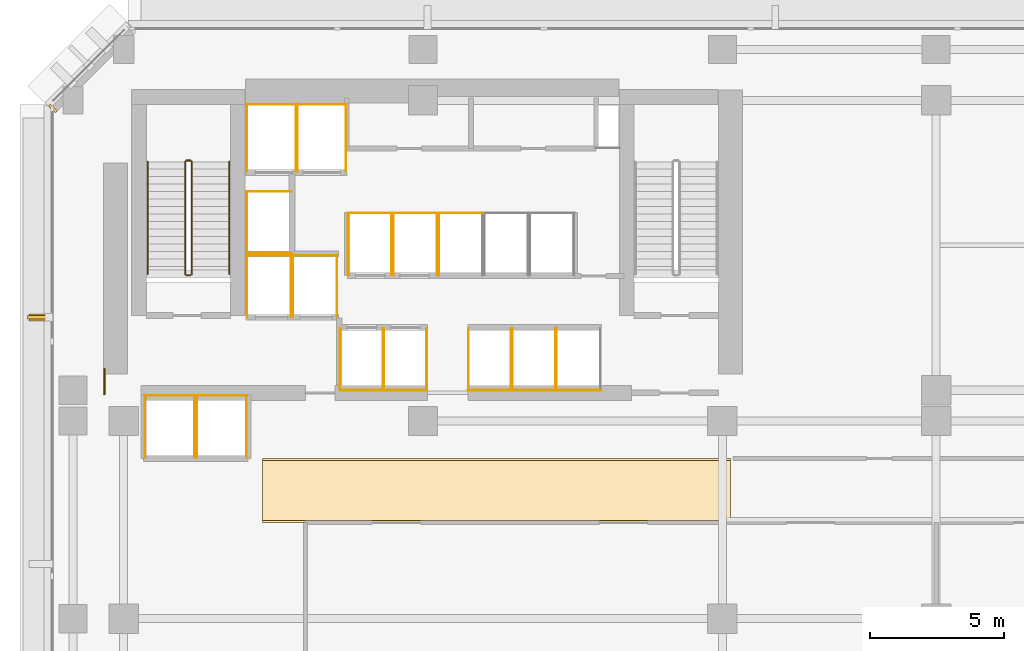
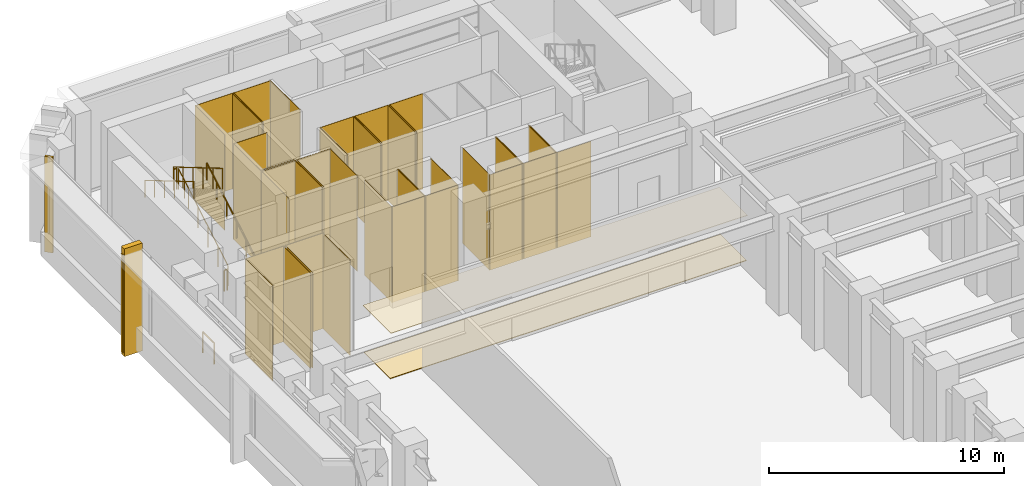
# One storey, part 13 of 16: 47 coverings, 7 railings, 1 shading device.
"""IFC4 building model written with IfcOpenShell, lengths in metres."""

from ifc_helpers import new_model, si_unit, direction, frame, origin, origin_2d, place, context, subcontext, project, spatial, polyline, rectangle, circle, outline, extrude, material, layer, layer_set, material_profile, profile_set, type_object, element, save


model = new_model("IFC4")

# Units and contexts
model_context = context("Model", 3, precision=1e-05, world=origin(), true_north=direction((0.0, 1.0)))
body_context = subcontext(model_context, "Body", "Model", "MODEL_VIEW")
ifc_project = project(units=[si_unit("LENGTHUNIT", "METRE"), si_unit("AREAUNIT", "SQUARE_METRE"), si_unit("VOLUMEUNIT", "CUBIC_METRE"), si_unit("PLANEANGLEUNIT", "RADIAN"), si_unit("MASSUNIT", "GRAM", prefix="KILO")], contexts=[model_context])

# Site, building, storey
site_placement = place(None, origin())
site = spatial("IfcSite", under=ifc_project, at=site_placement, CompositionType="ELEMENT")
building_placement = place(site_placement, origin())
building = spatial("IfcBuilding", under=site, at=building_placement, Name="Kefirva Bronze Tower", CompositionType="ELEMENT")
storey_placement = place(building_placement, frame((0.0, 0.0, 11.219970703125)))
storey = spatial("IfcBuildingStorey", under=building, at=storey_placement, Name="L02", CompositionType="ELEMENT", Elevation=11.219970703125)

# Coverings
ifc_material_1 = material(Name="Acoustic mineral tile")
ifc_layer_1 = layer(ifc_material_1, 0.02490234375, Name="Acoustic mineral tile")
ifc_layer_set_1 = layer_set([ifc_layer_1], Name="Acoustic mineral tile")
covering_type_1 = type_object("IfcCoveringType", Name="Acoustic Mineral Suspended Ceiling 25mm", PredefinedType="CEILING", material=ifc_layer_set_1)
covering_1_placement = place(storey_placement, frame((0.0, 0.0, 2.400146484375)))
element("IfcCovering", 1, at=covering_1_placement, inside=storey, type_object=covering_type_1, Name="L02 Corridor Acoustic Ceiling", PredefinedType="CEILING", context=body_context, shape_type="SweptSolid", body=[
    extrude(outline(polyline([(6.0, 29.39990234375), (23.5, 29.39990234375), (23.5, 31.800048828125), (6.0, 31.800048828125), (6.0, 29.39990234375)])), origin(), (0.0, 0.0, 1.0), 0.02490234375),
])
ifc_material_2 = material(Name="Bronze anodised aluminium", Category="aluminium")
ifc_layer_2 = layer(ifc_material_2, 0.02001953125, Name="Bronze anodised aluminium")
ifc_layer_set_2 = layer_set([ifc_layer_2], Name="Bronze anodised aluminium")
covering_type_2 = type_object("IfcCoveringType", Name="Anodised Bronze Spandrel Cladding 20mm", PredefinedType="CLADDING", material=ifc_layer_set_2)
covering_2_placement = place(storey_placement, frame((-1.847900390625, 44.8974609375, 0.0), z_axis=(0.0, 0.0, 1.0), x_axis=(-0.707106781187, -0.707106781187, 0.0)))
element("IfcCovering", 2, at=covering_2_placement, inside=storey, type_object=covering_type_2, Name="L02 Facade Joint Closure Panel 7E", PredefinedType="CLADDING", context=body_context, shape_type="SweptSolid", body=[
    extrude(rectangle(XDim=0.10009765625, YDim=0.360107421875, at=origin_2d()), origin(), (0.0, 0.0, 1.0), 4.9599609375),
])
covering_3_placement = place(storey_placement, origin())
element("IfcCovering", 3, at=covering_3_placement, inside=storey, type_object=covering_type_2, Name="L02 Lift FF1 Hoistway Liner N", PredefinedType="CLADDING", context=body_context, shape_type="SweptSolid", body=[
    extrude(outline(polyline([(5.39990234375, 39.389892578125), (7.080078125, 39.389892578125), (7.080078125, 39.409912109375), (5.39990234375, 39.409912109375), (5.39990234375, 39.389892578125)])), origin(), (0.0, 0.0, 1.0), 4.9599609375),
])
covering_4_placement = place(storey_placement, origin())
element("IfcCovering", 4, at=covering_4_placement, inside=storey, type_object=covering_type_2, Name="L02 Lift FF1 Hoistway Liner W", PredefinedType="CLADDING", context=body_context, shape_type="SweptSolid", body=[
    extrude(outline(polyline([(5.409912109375, 37.080078125), (5.429931640625, 37.080078125), (5.429931640625, 39.419921875), (5.409912109375, 39.419921875), (5.409912109375, 37.080078125)])), origin(), (0.0, 0.0, 1.0), 4.9599609375),
])
covering_5_placement = place(storey_placement, origin())
element("IfcCovering", 5, at=covering_5_placement, inside=storey, type_object=covering_type_2, Name="L02 Lift FF1 Hoistway Liner E", PredefinedType="CLADDING", context=body_context, shape_type="SweptSolid", body=[
    extrude(outline(polyline([(7.050048828125, 37.080078125), (7.070068359375, 37.080078125), (7.070068359375, 39.419921875), (7.050048828125, 39.419921875), (7.050048828125, 37.080078125)])), origin(), (0.0, 0.0, 1.0), 4.9599609375),
])
covering_6_placement = place(storey_placement, origin())
element("IfcCovering", 6, at=covering_6_placement, inside=storey, type_object=covering_type_2, Name="L02 Lift FF2 Hoistway Liner N", PredefinedType="CLADDING", context=body_context, shape_type="SweptSolid", body=[
    extrude(outline(polyline([(7.1201171875, 39.389892578125), (8.800048828125, 39.389892578125), (8.800048828125, 39.409912109375), (7.1201171875, 39.409912109375), (7.1201171875, 39.389892578125)])), origin(), (0.0, 0.0, 1.0), 4.9599609375),
])
covering_7_placement = place(storey_placement, origin())
element("IfcCovering", 7, at=covering_7_placement, inside=storey, type_object=covering_type_2, Name="L02 Lift FF2 Hoistway Liner W", PredefinedType="CLADDING", context=body_context, shape_type="SweptSolid", body=[
    extrude(outline(polyline([(7.1298828125, 37.080078125), (7.14990234375, 37.080078125), (7.14990234375, 39.419921875), (7.1298828125, 39.419921875), (7.1298828125, 37.080078125)])), origin(), (0.0, 0.0, 1.0), 4.9599609375),
])
covering_8_placement = place(storey_placement, origin())
element("IfcCovering", 8, at=covering_8_placement, inside=storey, type_object=covering_type_2, Name="L02 Lift FF2 Hoistway Liner E", PredefinedType="CLADDING", context=body_context, shape_type="SweptSolid", body=[
    extrude(outline(polyline([(8.77001953125, 37.080078125), (8.7900390625, 37.080078125), (8.7900390625, 39.419921875), (8.77001953125, 39.419921875), (8.77001953125, 37.080078125)])), origin(), (0.0, 0.0, 1.0), 4.9599609375),
])
covering_9_placement = place(storey_placement, origin())
element("IfcCovering", 9, at=covering_9_placement, inside=storey, type_object=covering_type_2, Name="L02 Lift SV1 Hoistway Liner N", PredefinedType="CLADDING", context=body_context, shape_type="SweptSolid", body=[
    extrude(outline(polyline([(5.39990234375, 45.0400390625), (7.260009765625, 45.0400390625), (7.260009765625, 45.06005859375), (5.39990234375, 45.06005859375), (5.39990234375, 45.0400390625)])), origin(), (0.0, 0.0, 1.0), 4.9599609375),
])
covering_10_placement = place(storey_placement, origin())
element("IfcCovering", 10, at=covering_10_placement, inside=storey, type_object=covering_type_2, Name="L02 Lift SV1 Hoistway Liner W", PredefinedType="CLADDING", context=body_context, shape_type="SweptSolid", body=[
    extrude(outline(polyline([(5.409912109375, 42.530029296875), (5.429931640625, 42.530029296875), (5.429931640625, 45.070068359375), (5.409912109375, 45.070068359375), (5.409912109375, 42.530029296875)])), origin(), (0.0, 0.0, 1.0), 4.9599609375),
])
covering_11_placement = place(storey_placement, origin())
element("IfcCovering", 11, at=covering_11_placement, inside=storey, type_object=covering_type_2, Name="L02 Lift SV1 Hoistway Liner E", PredefinedType="CLADDING", context=body_context, shape_type="SweptSolid", body=[
    extrude(outline(polyline([(7.22998046875, 42.530029296875), (7.25, 42.530029296875), (7.25, 45.070068359375), (7.22998046875, 45.070068359375), (7.22998046875, 42.530029296875)])), origin(), (0.0, 0.0, 1.0), 4.9599609375),
])
covering_12_placement = place(storey_placement, origin())
element("IfcCovering", 12, at=covering_12_placement, inside=storey, type_object=covering_type_2, Name="L02 Lift SV2 Hoistway Liner N", PredefinedType="CLADDING", context=body_context, shape_type="SweptSolid", body=[
    extrude(outline(polyline([(7.280029296875, 45.0400390625), (9.139892578125, 45.0400390625), (9.139892578125, 45.06005859375), (7.280029296875, 45.06005859375), (7.280029296875, 45.0400390625)])), origin(), (0.0, 0.0, 1.0), 4.9599609375),
])
covering_13_placement = place(storey_placement, origin())
element("IfcCovering", 13, at=covering_13_placement, inside=storey, type_object=covering_type_2, Name="L02 Lift SV2 Hoistway Liner W", PredefinedType="CLADDING", context=body_context, shape_type="SweptSolid", body=[
    extrude(outline(polyline([(7.2900390625, 42.530029296875), (7.31005859375, 42.530029296875), (7.31005859375, 45.070068359375), (7.2900390625, 45.070068359375), (7.2900390625, 42.530029296875)])), origin(), (0.0, 0.0, 1.0), 4.9599609375),
])
covering_14_placement = place(storey_placement, origin())
element("IfcCovering", 14, at=covering_14_placement, inside=storey, type_object=covering_type_2, Name="L02 Lift SV2 Hoistway Liner E", PredefinedType="CLADDING", context=body_context, shape_type="SweptSolid", body=[
    extrude(outline(polyline([(9.110107421875, 42.530029296875), (9.1298828125, 42.530029296875), (9.1298828125, 45.070068359375), (9.110107421875, 45.070068359375), (9.110107421875, 42.530029296875)])), origin(), (0.0, 0.0, 1.0), 4.9599609375),
])
covering_15_placement = place(storey_placement, origin())
element("IfcCovering", 15, at=covering_15_placement, inside=storey, type_object=covering_type_2, Name="L02 Lift OB1 Hoistway Liner N", PredefinedType="CLADDING", context=body_context, shape_type="SweptSolid", body=[
    extrude(outline(polyline([(1.580078125, 34.139892578125), (3.469970703125, 34.139892578125), (3.469970703125, 34.159912109375), (1.580078125, 34.159912109375), (1.580078125, 34.139892578125)])), origin(), (0.0, 0.0, 1.0), 4.9599609375),
])
covering_16_placement = place(storey_placement, origin())
element("IfcCovering", 16, at=covering_16_placement, inside=storey, type_object=covering_type_2, Name="L02 Lift OB1 Hoistway Liner W", PredefinedType="CLADDING", context=body_context, shape_type="SweptSolid", body=[
    extrude(outline(polyline([(1.590087890625, 31.830078125), (1.610107421875, 31.830078125), (1.610107421875, 34.169921875), (1.590087890625, 34.169921875), (1.590087890625, 31.830078125)])), origin(), (0.0, 0.0, 1.0), 4.9599609375),
])
covering_17_placement = place(storey_placement, origin())
element("IfcCovering", 17, at=covering_17_placement, inside=storey, type_object=covering_type_2, Name="L02 Lift OB1 Hoistway Liner E", PredefinedType="CLADDING", context=body_context, shape_type="SweptSolid", body=[
    extrude(outline(polyline([(3.43994140625, 31.830078125), (3.4599609375, 31.830078125), (3.4599609375, 34.169921875), (3.43994140625, 34.169921875), (3.43994140625, 31.830078125)])), origin(), (0.0, 0.0, 1.0), 4.9599609375),
])
covering_18_placement = place(storey_placement, origin())
element("IfcCovering", 18, at=covering_18_placement, inside=storey, type_object=covering_type_2, Name="L02 Lift OB2 Hoistway Liner N", PredefinedType="CLADDING", context=body_context, shape_type="SweptSolid", body=[
    extrude(outline(polyline([(3.530029296875, 34.139892578125), (5.419921875, 34.139892578125), (5.419921875, 34.159912109375), (3.530029296875, 34.159912109375), (3.530029296875, 34.139892578125)])), origin(), (0.0, 0.0, 1.0), 4.9599609375),
])
covering_19_placement = place(storey_placement, origin())
element("IfcCovering", 19, at=covering_19_placement, inside=storey, type_object=covering_type_2, Name="L02 Lift OB2 Hoistway Liner W", PredefinedType="CLADDING", context=body_context, shape_type="SweptSolid", body=[
    extrude(outline(polyline([(3.5400390625, 31.830078125), (3.56005859375, 31.830078125), (3.56005859375, 34.169921875), (3.5400390625, 34.169921875), (3.5400390625, 31.830078125)])), origin(), (0.0, 0.0, 1.0), 4.9599609375),
])
covering_20_placement = place(storey_placement, origin())
element("IfcCovering", 20, at=covering_20_placement, inside=storey, type_object=covering_type_2, Name="L02 Lift OB2 Hoistway Liner E", PredefinedType="CLADDING", context=body_context, shape_type="SweptSolid", body=[
    extrude(outline(polyline([(5.389892578125, 31.830078125), (5.409912109375, 31.830078125), (5.409912109375, 34.169921875), (5.389892578125, 34.169921875), (5.389892578125, 31.830078125)])), origin(), (0.0, 0.0, 1.0), 4.9599609375),
])
covering_21_placement = place(storey_placement, origin())
element("IfcCovering", 21, at=covering_21_placement, inside=storey, type_object=covering_type_2, Name="L02 Lift LP1 Hoistway Liner S", PredefinedType="CLADDING", context=body_context, shape_type="SweptSolid", body=[
    extrude(outline(polyline([(8.8798828125, 34.340087890625), (10.52001953125, 34.340087890625), (10.52001953125, 34.360107421875), (8.8798828125, 34.360107421875), (8.8798828125, 34.340087890625)])), origin(), (0.0, 0.0, 1.0), 4.9599609375),
])
covering_22_placement = place(storey_placement, origin())
element("IfcCovering", 22, at=covering_22_placement, inside=storey, type_object=covering_type_2, Name="L02 Lift LP1 Hoistway Liner W", PredefinedType="CLADDING", context=body_context, shape_type="SweptSolid", body=[
    extrude(outline(polyline([(8.889892578125, 34.330078125), (8.909912109375, 34.330078125), (8.909912109375, 36.669921875), (8.889892578125, 36.669921875), (8.889892578125, 34.330078125)])), origin(), (0.0, 0.0, 1.0), 4.9599609375),
])
covering_23_placement = place(storey_placement, origin())
element("IfcCovering", 23, at=covering_23_placement, inside=storey, type_object=covering_type_2, Name="L02 Lift LP1 Hoistway Liner E", PredefinedType="CLADDING", context=body_context, shape_type="SweptSolid", body=[
    extrude(outline(polyline([(10.489990234375, 34.330078125), (10.510009765625, 34.330078125), (10.510009765625, 36.669921875), (10.489990234375, 36.669921875), (10.489990234375, 34.330078125)])), origin(), (0.0, 0.0, 1.0), 4.9599609375),
])
covering_24_placement = place(storey_placement, origin())
element("IfcCovering", 24, at=covering_24_placement, inside=storey, type_object=covering_type_2, Name="L02 Lift LP2 Hoistway Liner S", PredefinedType="CLADDING", context=body_context, shape_type="SweptSolid", body=[
    extrude(outline(polyline([(10.52001953125, 34.340087890625), (12.159912109375, 34.340087890625), (12.159912109375, 34.360107421875), (10.52001953125, 34.360107421875), (10.52001953125, 34.340087890625)])), origin(), (0.0, 0.0, 1.0), 4.9599609375),
])
covering_25_placement = place(storey_placement, origin())
element("IfcCovering", 25, at=covering_25_placement, inside=storey, type_object=covering_type_2, Name="L02 Lift LP2 Hoistway Liner W", PredefinedType="CLADDING", context=body_context, shape_type="SweptSolid", body=[
    extrude(outline(polyline([(10.530029296875, 34.330078125), (10.550048828125, 34.330078125), (10.550048828125, 36.669921875), (10.530029296875, 36.669921875), (10.530029296875, 34.330078125)])), origin(), (0.0, 0.0, 1.0), 4.9599609375),
])
covering_26_placement = place(storey_placement, origin())
element("IfcCovering", 26, at=covering_26_placement, inside=storey, type_object=covering_type_2, Name="L02 Lift LP2 Hoistway Liner E", PredefinedType="CLADDING", context=body_context, shape_type="SweptSolid", body=[
    extrude(outline(polyline([(12.1298828125, 34.330078125), (12.14990234375, 34.330078125), (12.14990234375, 36.669921875), (12.1298828125, 36.669921875), (12.1298828125, 34.330078125)])), origin(), (0.0, 0.0, 1.0), 4.9599609375),
])
covering_27_placement = place(storey_placement, origin())
element("IfcCovering", 27, at=covering_27_placement, inside=storey, type_object=covering_type_2, Name="L02 Lift LP3 Hoistway Liner N", PredefinedType="CLADDING", context=body_context, shape_type="SweptSolid", body=[
    extrude(outline(polyline([(9.179931640625, 40.969970703125), (10.85009765625, 40.969970703125), (10.85009765625, 40.989990234375), (9.179931640625, 40.989990234375), (9.179931640625, 40.969970703125)])), origin(), (0.0, 0.0, 1.0), 4.9599609375),
])
covering_28_placement = place(storey_placement, origin())
element("IfcCovering", 28, at=covering_28_placement, inside=storey, type_object=covering_type_2, Name="L02 Lift LP3 Hoistway Liner W", PredefinedType="CLADDING", context=body_context, shape_type="SweptSolid", body=[
    extrude(outline(polyline([(9.18994140625, 38.659912109375), (9.2099609375, 38.659912109375), (9.2099609375, 41.0), (9.18994140625, 41.0), (9.18994140625, 38.659912109375)])), origin(), (0.0, 0.0, 1.0), 4.9599609375),
])
covering_29_placement = place(storey_placement, origin())
element("IfcCovering", 29, at=covering_29_placement, inside=storey, type_object=covering_type_2, Name="L02 Lift LP3 Hoistway Liner E", PredefinedType="CLADDING", context=body_context, shape_type="SweptSolid", body=[
    extrude(outline(polyline([(10.820068359375, 38.659912109375), (10.840087890625, 38.659912109375), (10.840087890625, 41.0), (10.820068359375, 41.0), (10.820068359375, 38.659912109375)])), origin(), (0.0, 0.0, 1.0), 4.9599609375),
])
covering_30_placement = place(storey_placement, origin())
element("IfcCovering", 30, at=covering_30_placement, inside=storey, type_object=covering_type_2, Name="L02 Lift LP4 Hoistway Liner N", PredefinedType="CLADDING", context=body_context, shape_type="SweptSolid", body=[
    extrude(outline(polyline([(10.8798828125, 40.969970703125), (12.550048828125, 40.969970703125), (12.550048828125, 40.989990234375), (10.8798828125, 40.989990234375), (10.8798828125, 40.969970703125)])), origin(), (0.0, 0.0, 1.0), 4.9599609375),
])
covering_31_placement = place(storey_placement, origin())
element("IfcCovering", 31, at=covering_31_placement, inside=storey, type_object=covering_type_2, Name="L02 Lift LP4 Hoistway Liner W", PredefinedType="CLADDING", context=body_context, shape_type="SweptSolid", body=[
    extrude(outline(polyline([(10.889892578125, 38.659912109375), (10.909912109375, 38.659912109375), (10.909912109375, 41.0), (10.889892578125, 41.0), (10.889892578125, 38.659912109375)])), origin(), (0.0, 0.0, 1.0), 4.9599609375),
])
covering_32_placement = place(storey_placement, origin())
element("IfcCovering", 32, at=covering_32_placement, inside=storey, type_object=covering_type_2, Name="L02 Lift LP4 Hoistway Liner E", PredefinedType="CLADDING", context=body_context, shape_type="SweptSolid", body=[
    extrude(outline(polyline([(12.52001953125, 38.659912109375), (12.5400390625, 38.659912109375), (12.5400390625, 41.0), (12.52001953125, 41.0), (12.52001953125, 38.659912109375)])), origin(), (0.0, 0.0, 1.0), 4.9599609375),
])
covering_33_placement = place(storey_placement, origin())
element("IfcCovering", 33, at=covering_33_placement, inside=storey, type_object=covering_type_2, Name="L02 Lift MP1 Hoistway Liner S", PredefinedType="CLADDING", context=body_context, shape_type="SweptSolid", body=[
    extrude(outline(polyline([(13.679931640625, 34.340087890625), (15.320068359375, 34.340087890625), (15.320068359375, 34.360107421875), (13.679931640625, 34.360107421875), (13.679931640625, 34.340087890625)])), origin(), (0.0, 0.0, 1.0), 4.9599609375),
])
covering_34_placement = place(storey_placement, origin())
element("IfcCovering", 34, at=covering_34_placement, inside=storey, type_object=covering_type_2, Name="L02 Lift MP1 Hoistway Liner W", PredefinedType="CLADDING", context=body_context, shape_type="SweptSolid", body=[
    extrude(outline(polyline([(13.68994140625, 34.330078125), (13.7099609375, 34.330078125), (13.7099609375, 36.669921875), (13.68994140625, 36.669921875), (13.68994140625, 34.330078125)])), origin(), (0.0, 0.0, 1.0), 4.9599609375),
])
covering_35_placement = place(storey_placement, origin())
element("IfcCovering", 35, at=covering_35_placement, inside=storey, type_object=covering_type_2, Name="L02 Lift MP1 Hoistway Liner E", PredefinedType="CLADDING", context=body_context, shape_type="SweptSolid", body=[
    extrude(outline(polyline([(15.2900390625, 34.330078125), (15.31005859375, 34.330078125), (15.31005859375, 36.669921875), (15.2900390625, 36.669921875), (15.2900390625, 34.330078125)])), origin(), (0.0, 0.0, 1.0), 4.9599609375),
])
covering_36_placement = place(storey_placement, origin())
element("IfcCovering", 36, at=covering_36_placement, inside=storey, type_object=covering_type_2, Name="L02 Lift MP2 Hoistway Liner S", PredefinedType="CLADDING", context=body_context, shape_type="SweptSolid", body=[
    extrude(outline(polyline([(15.330078125, 34.340087890625), (16.969970703125, 34.340087890625), (16.969970703125, 34.360107421875), (15.330078125, 34.360107421875), (15.330078125, 34.340087890625)])), origin(), (0.0, 0.0, 1.0), 4.9599609375),
])
covering_37_placement = place(storey_placement, origin())
element("IfcCovering", 37, at=covering_37_placement, inside=storey, type_object=covering_type_2, Name="L02 Lift MP2 Hoistway Liner W", PredefinedType="CLADDING", context=body_context, shape_type="SweptSolid", body=[
    extrude(outline(polyline([(15.340087890625, 34.330078125), (15.360107421875, 34.330078125), (15.360107421875, 36.669921875), (15.340087890625, 36.669921875), (15.340087890625, 34.330078125)])), origin(), (0.0, 0.0, 1.0), 4.9599609375),
])
covering_38_placement = place(storey_placement, origin())
element("IfcCovering", 38, at=covering_38_placement, inside=storey, type_object=covering_type_2, Name="L02 Lift MP2 Hoistway Liner E", PredefinedType="CLADDING", context=body_context, shape_type="SweptSolid", body=[
    extrude(outline(polyline([(16.93994140625, 34.330078125), (16.9599609375, 34.330078125), (16.9599609375, 36.669921875), (16.93994140625, 36.669921875), (16.93994140625, 34.330078125)])), origin(), (0.0, 0.0, 1.0), 4.9599609375),
])
covering_39_placement = place(storey_placement, origin())
element("IfcCovering", 39, at=covering_39_placement, inside=storey, type_object=covering_type_2, Name="L02 Lift MP3 Hoistway Liner N", PredefinedType="CLADDING", context=body_context, shape_type="SweptSolid", body=[
    extrude(outline(polyline([(12.580078125, 40.969970703125), (14.25, 40.969970703125), (14.25, 40.989990234375), (12.580078125, 40.989990234375), (12.580078125, 40.969970703125)])), origin(), (0.0, 0.0, 1.0), 4.9599609375),
])
covering_40_placement = place(storey_placement, origin())
element("IfcCovering", 40, at=covering_40_placement, inside=storey, type_object=covering_type_2, Name="L02 Lift MP3 Hoistway Liner W", PredefinedType="CLADDING", context=body_context, shape_type="SweptSolid", body=[
    extrude(outline(polyline([(12.590087890625, 38.659912109375), (12.610107421875, 38.659912109375), (12.610107421875, 41.0), (12.590087890625, 41.0), (12.590087890625, 38.659912109375)])), origin(), (0.0, 0.0, 1.0), 4.9599609375),
])
covering_41_placement = place(storey_placement, origin())
element("IfcCovering", 41, at=covering_41_placement, inside=storey, type_object=covering_type_2, Name="L02 Lift HP1 Hoistway Liner S", PredefinedType="CLADDING", context=body_context, shape_type="SweptSolid", body=[
    extrude(outline(polyline([(16.97998046875, 34.340087890625), (18.669921875, 34.340087890625), (18.669921875, 34.360107421875), (16.97998046875, 34.360107421875), (16.97998046875, 34.340087890625)])), origin(), (0.0, 0.0, 1.0), 4.9599609375),
])
covering_42_placement = place(storey_placement, origin())
element("IfcCovering", 42, at=covering_42_placement, inside=storey, type_object=covering_type_2, Name="L02 Lift HP1 Hoistway Liner W", PredefinedType="CLADDING", context=body_context, shape_type="SweptSolid", body=[
    extrude(outline(polyline([(16.989990234375, 34.330078125), (17.010009765625, 34.330078125), (17.010009765625, 36.669921875), (16.989990234375, 36.669921875), (16.989990234375, 34.330078125)])), origin(), (0.0, 0.0, 1.0), 4.9599609375),
])
covering_43_placement = place(storey_placement, origin())
element("IfcCovering", 43, at=covering_43_placement, inside=storey, type_object=covering_type_2, Name="L02 Lift HP3 Hoistway Liner N", PredefinedType="CLADDING", context=body_context, shape_type="SweptSolid", body=[
    extrude(outline(polyline([(5.39990234375, 41.77001953125), (7.080078125, 41.77001953125), (7.080078125, 41.7900390625), (5.39990234375, 41.7900390625), (5.39990234375, 41.77001953125)])), origin(), (0.0, 0.0, 1.0), 4.9599609375),
])
covering_44_placement = place(storey_placement, origin())
element("IfcCovering", 44, at=covering_44_placement, inside=storey, type_object=covering_type_2, Name="L02 Lift HP3 Hoistway Liner S", PredefinedType="CLADDING", context=body_context, shape_type="SweptSolid", body=[
    extrude(outline(polyline([(5.39990234375, 39.469970703125), (7.080078125, 39.469970703125), (7.080078125, 39.489990234375), (5.39990234375, 39.489990234375), (5.39990234375, 39.469970703125)])), origin(), (0.0, 0.0, 1.0), 4.9599609375),
])
covering_45_placement = place(storey_placement, origin())
element("IfcCovering", 45, at=covering_45_placement, inside=storey, type_object=covering_type_2, Name="L02 Lift HP3 Hoistway Liner W", PredefinedType="CLADDING", context=body_context, shape_type="SweptSolid", body=[
    extrude(outline(polyline([(5.409912109375, 39.4599609375), (5.429931640625, 39.4599609375), (5.429931640625, 41.800048828125), (5.409912109375, 41.800048828125), (5.409912109375, 39.4599609375)])), origin(), (0.0, 0.0, 1.0), 4.9599609375),
])
ifc_material_3 = material(Name="Honed basalt stone paver", Category="masonry")
ifc_layer_3 = layer(ifc_material_3, 0.034912109375, Name="Honed basalt stone paver")
ifc_layer_set_3 = layer_set([ifc_layer_3], Name="Honed basalt stone paver")
covering_type_3 = type_object("IfcCoveringType", Name="Honed Basalt Concourse Flooring 35mm", PredefinedType="FLOORING", material=ifc_layer_set_3)
covering_46_placement = place(storey_placement, origin())
element("IfcCovering", 46, at=covering_46_placement, inside=storey, type_object=covering_type_3, Name="L02 Architectural Finish Flooring", PredefinedType="FLOORING", context=body_context, shape_type="SweptSolid", body=[
    extrude(outline(polyline([(6.0, 29.47998046875), (23.5, 29.47998046875), (23.5, 31.719970703125), (6.0, 31.719970703125), (6.0, 29.47998046875)])), origin(), (0.0, 0.0, 1.0), 0.034912109375),
])

# Railings
ifc_material_4 = material(Name="Stainless steel 316", Category="steel")
railing_type_1 = type_object("IfcRailingType", Name="Interior Stair Guardrail 1100mm", PredefinedType="GUARDRAIL", material=ifc_material_4)
railing_1_placement = place(storey_placement, frame((3.35009765625, 38.699951171875, 0.1650390625)))
element("IfcRailing", 47, at=railing_1_placement, inside=storey, type_object=railing_type_1, Name="L02 ST-1 stair guard 1", PredefinedType="GUARDRAIL", context=body_context, shape_type="SweptSolid", body=[
    extrude(circle(Radius=0.02392578125, at=origin_2d()), frame((0.0, 0.0, 1.076171875), z_axis=(0.0, 0.861527117747, 0.50771155727), x_axis=(-1.0, 0.0, 0.0)), (0.0, 0.0, 1.0), 4.875),
    extrude(circle(Radius=0.02099609375, at=origin_2d()), origin(), (0.0, 0.0, 1.0), 1.052001953125),
    extrude(circle(Radius=0.02099609375, at=origin_2d()), frame((0.0, 0.840087890625, 0.4951171875)), (0.0, 0.0, 1.0), 1.052001953125),
    extrude(circle(Radius=0.02099609375, at=origin_2d()), frame((0.0, 1.679931640625, 0.989990234375)), (0.0, 0.0, 1.0), 1.052001953125),
    extrude(circle(Radius=0.02099609375, at=origin_2d()), frame((0.0, 2.52001953125, 1.485107421875)), (0.0, 0.0, 1.0), 1.052001953125),
    extrude(circle(Radius=0.02099609375, at=origin_2d()), frame((0.0, 3.35986328125, 1.97998046875)), (0.0, 0.0, 1.0), 1.052001953125),
    extrude(circle(Radius=0.02099609375, at=origin_2d()), frame((0.0, 4.199951171875, 2.47509765625)), (0.0, 0.0, 1.0), 1.052001953125),
])
railing_2_placement = place(storey_placement, frame((3.300048828125, 42.949951171875, 2.64013671875)))
element("IfcRailing", 48, at=railing_2_placement, inside=storey, type_object=railing_type_1, Name="L02 ST-1 stair guard 2", PredefinedType="GUARDRAIL", context=body_context, shape_type="SweptSolid", body=[
    extrude(circle(Radius=0.02392578125, at=origin_2d()), frame((0.0, 0.0, 1.076171875), z_axis=(-1.0, 0.0, 0.0), x_axis=(0.0, -1.0, 0.0)), (0.0, 0.0, 1.0), 0.150146484375),
    extrude(circle(Radius=0.02099609375, at=origin_2d()), origin(), (0.0, 0.0, 1.0), 1.052001953125),
    extrude(circle(Radius=0.02099609375, at=origin_2d()), frame((-0.150146484375, 0.0, 0.0)), (0.0, 0.0, 1.0), 1.052001953125),
])
railing_3_placement = place(storey_placement, frame((3.10009765625, 42.89990234375, 2.804931640625)))
element("IfcRailing", 49, at=railing_3_placement, inside=storey, type_object=railing_type_1, Name="L02 ST-1 stair guard 3", PredefinedType="GUARDRAIL", context=body_context, shape_type="SweptSolid", body=[
    extrude(circle(Radius=0.02392578125, at=origin_2d()), frame((0.0, 0.0, 1.076171875), z_axis=(0.0, -0.861527117747, 0.50771155727), x_axis=(1.0, 0.0, 0.0)), (0.0, 0.0, 1.0), 4.875),
    extrude(circle(Radius=0.02099609375, at=origin_2d()), origin(), (0.0, 0.0, 1.0), 1.052001953125),
    extrude(circle(Radius=0.02099609375, at=origin_2d()), frame((0.0, -0.840087890625, 0.4951171875)), (0.0, 0.0, 1.0), 1.052001953125),
    extrude(circle(Radius=0.02099609375, at=origin_2d()), frame((0.0, -1.679931640625, 0.989990234375)), (0.0, 0.0, 1.0), 1.052001953125),
    extrude(circle(Radius=0.02099609375, at=origin_2d()), frame((0.0, -2.52001953125, 1.485107421875)), (0.0, 0.0, 1.0), 1.052001953125),
    extrude(circle(Radius=0.02099609375, at=origin_2d()), frame((0.0, -3.35986328125, 1.97998046875)), (0.0, 0.0, 1.0), 1.052001953125),
    extrude(circle(Radius=0.02099609375, at=origin_2d()), frame((0.0, -4.199951171875, 2.47509765625)), (0.0, 0.0, 1.0), 1.052001953125),
])
railing_4_placement = place(storey_placement, frame((3.300048828125, 38.64990234375, 0.0)))
element("IfcRailing", 50, at=railing_4_placement, inside=storey, type_object=railing_type_1, Name="L02 ST-1 stair guard 4", PredefinedType="GUARDRAIL", context=body_context, shape_type="SweptSolid", body=[
    extrude(circle(Radius=0.02392578125, at=origin_2d()), frame((0.0, 0.0, 1.076171875), z_axis=(-1.0, 0.0, 0.0), x_axis=(0.0, -1.0, 0.0)), (0.0, 0.0, 1.0), 0.150146484375),
    extrude(circle(Radius=0.02099609375, at=origin_2d()), origin(), (0.0, 0.0, 1.0), 1.052001953125),
    extrude(circle(Radius=0.02099609375, at=origin_2d()), frame((-0.150146484375, 0.0, 0.0)), (0.0, 0.0, 1.0), 1.052001953125),
])
railing_5_placement = place(storey_placement, frame((0.080078125, 34.199951171875, 0.0)))
element("IfcRailing", 51, at=railing_5_placement, inside=storey, type_object=railing_type_1, Name="L02 West Core Junction Guardrail", PredefinedType="GUARDRAIL", context=body_context, shape_type="SweptSolid", body=[
    extrude(circle(Radius=0.02392578125, at=origin_2d()), frame((0.0, 0.0, 1.076171875), z_axis=(0.0, 1.0, 0.0), x_axis=(-1.0, 0.0, 0.0)), (0.0, 0.0, 1.0), 0.949951171875),
    extrude(circle(Radius=0.02099609375, at=origin_2d()), origin(), (0.0, 0.0, 1.0), 1.052001953125),
    extrude(circle(Radius=0.02099609375, at=origin_2d()), frame((0.0, 0.949951171875, 0.0)), (0.0, 0.0, 1.0), 1.052001953125),
])
railing_type_2 = type_object("IfcRailingType", Name="Stair Pitch Handrail 900mm", PredefinedType="HANDRAIL", material=ifc_material_4)
railing_6_placement = place(storey_placement, frame((4.75, 38.699951171875, 0.1650390625)))
element("IfcRailing", 52, at=railing_6_placement, inside=storey, type_object=railing_type_2, Name="L02 ST-1 stair handrail 1", PredefinedType="HANDRAIL", context=body_context, shape_type="SweptSolid", body=[
    extrude(circle(Radius=0.02392578125, at=origin_2d()), frame((0.0, 0.0, 0.8759765625), z_axis=(0.0, 0.861527117747, 0.50771155727), x_axis=(-1.0, 0.0, 0.0)), (0.0, 0.0, 1.0), 4.875),
    extrude(circle(Radius=0.02099609375, at=origin_2d()), origin(), (0.0, 0.0, 1.0), 0.851806640625),
    extrude(circle(Radius=0.02099609375, at=origin_2d()), frame((0.0, 0.840087890625, 0.4951171875)), (0.0, 0.0, 1.0), 0.851806640625),
    extrude(circle(Radius=0.02099609375, at=origin_2d()), frame((0.0, 1.679931640625, 0.989990234375)), (0.0, 0.0, 1.0), 0.851806640625),
    extrude(circle(Radius=0.02099609375, at=origin_2d()), frame((0.0, 2.52001953125, 1.485107421875)), (0.0, 0.0, 1.0), 0.851806640625),
    extrude(circle(Radius=0.02099609375, at=origin_2d()), frame((0.0, 3.35986328125, 1.97998046875)), (0.0, 0.0, 1.0), 0.851806640625),
    extrude(circle(Radius=0.02099609375, at=origin_2d()), frame((0.0, 4.199951171875, 2.47509765625)), (0.0, 0.0, 1.0), 0.851806640625),
])
railing_7_placement = place(storey_placement, frame((1.699951171875, 42.89990234375, 2.804931640625)))
element("IfcRailing", 53, at=railing_7_placement, inside=storey, type_object=railing_type_2, Name="L02 ST-1 stair handrail 2", PredefinedType="HANDRAIL", context=body_context, shape_type="SweptSolid", body=[
    extrude(circle(Radius=0.02392578125, at=origin_2d()), frame((0.0, 0.0, 0.8759765625), z_axis=(0.0, -0.861527117747, 0.50771155727), x_axis=(1.0, 0.0, 0.0)), (0.0, 0.0, 1.0), 4.875),
    extrude(circle(Radius=0.02099609375, at=origin_2d()), origin(), (0.0, 0.0, 1.0), 0.851806640625),
    extrude(circle(Radius=0.02099609375, at=origin_2d()), frame((0.0, -0.840087890625, 0.4951171875)), (0.0, 0.0, 1.0), 0.851806640625),
    extrude(circle(Radius=0.02099609375, at=origin_2d()), frame((0.0, -1.679931640625, 0.989990234375)), (0.0, 0.0, 1.0), 0.851806640625),
    extrude(circle(Radius=0.02099609375, at=origin_2d()), frame((0.0, -2.52001953125, 1.485107421875)), (0.0, 0.0, 1.0), 0.851806640625),
    extrude(circle(Radius=0.02099609375, at=origin_2d()), frame((0.0, -3.35986328125, 1.97998046875)), (0.0, 0.0, 1.0), 0.851806640625),
    extrude(circle(Radius=0.02099609375, at=origin_2d()), frame((0.0, -4.199951171875, 2.47509765625)), (0.0, 0.0, 1.0), 0.851806640625),
])

# Covering
ifc_layer_4 = layer(ifc_material_2, 0.260009765625, Name="Bronze anodised aluminium")
ifc_layer_set_4 = layer_set([ifc_layer_4], Name="Bronze anodised aluminium")
covering_type_4 = type_object("IfcCoveringType", Name="Unbroken Bronze Buttress Fin Cladding 260mm", PredefinedType="CLADDING", material=ifc_layer_set_4)
covering_47_placement = place(storey_placement, frame((-2.300048828125, 37.080078125, -0.320068359375), z_axis=(0.0, 0.0, 1.0), x_axis=(0.0, -1.0, 0.0)))
element("IfcCovering", 54, at=covering_47_placement, inside=storey, type_object=covering_type_4, Name="L02 Unbroken Vertical Bronze Rib Fin 25", PredefinedType="CLADDING", context=body_context, shape_type="SweptSolid", body=[
    extrude(rectangle(XDim=0.260009765625, YDim=0.8798828125, at=origin_2d()), origin(), (0.0, 0.0, 1.0), 5.60009765625),
])

# Shading device
ifc_material_profile = material_profile(ifc_material_2, rectangle(XDim=0.139892578125, YDim=0.8798828125, at=origin_2d()), Name="BRONZE FIN 140x880")
ifc_profile_set = profile_set([ifc_material_profile], Name="Bronze anodised aluminium")
shading_device_type = type_object("IfcShadingDeviceType", Name="Unbroken Vertical Bronze Facade Fin 880mm", PredefinedType="USERDEFINED", material=ifc_profile_set)
shading_device_placement = place(storey_placement, frame((-2.360107421875, 37.080078125, -0.139892578125), z_axis=(0.0, 0.0, 1.0), x_axis=(0.0, -1.0, 0.0)))
element("IfcShadingDevice", 55, at=shading_device_placement, inside=storey, type_object=shading_device_type, Name="L02 Vertical Bronze Rib Fin 25", ObjectType="VERTICAL FIN", PredefinedType="USERDEFINED", context=body_context, shape_type="SweptSolid", body=[
    extrude(rectangle(XDim=0.139892578125, YDim=0.8798828125, at=origin_2d()), origin(), (0.0, 0.0, 1.0), 5.099853515625),
])

save(model, "model.ifc")
